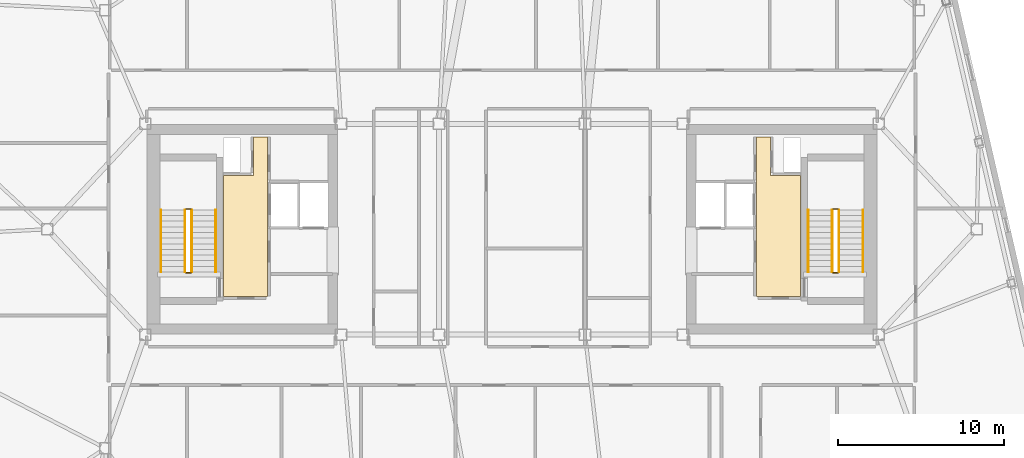
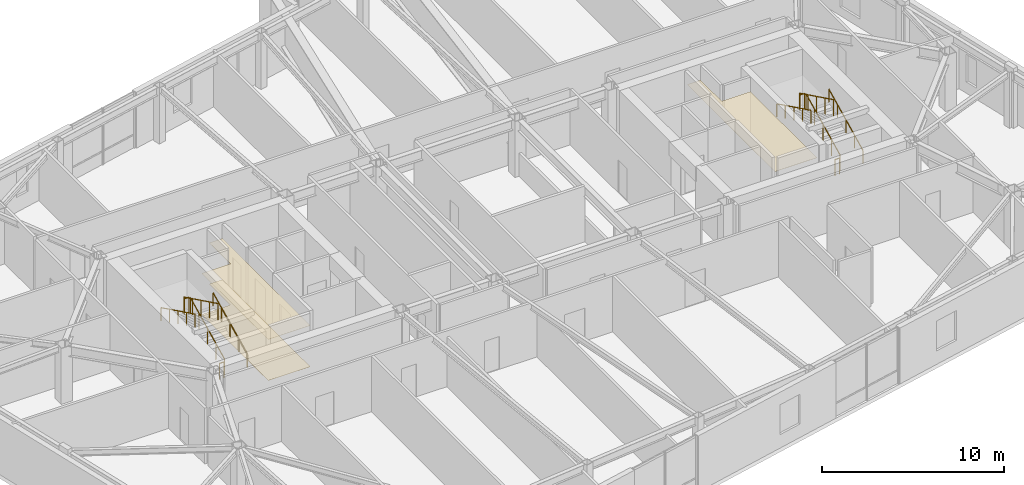
# One storey, part 24 of 24: 12 railings, 3 coverings.
"""IFC4 building model written with IfcOpenShell, lengths in metres."""

from ifc_helpers import new_model, si_unit, direction, frame, origin, origin_2d, place, context, subcontext, project, spatial, polyline, rectangle, outline, extrude, material, layer, layer_set, type_object, element, save


model = new_model("IFC4")

# Units and contexts
model_context = context("Model", 3, precision=1e-05, world=origin(), true_north=direction((0.0, 1.0)))
body_context = subcontext(model_context, "Body", "Model", "MODEL_VIEW")
ifc_project = project(units=[si_unit("LENGTHUNIT", "METRE"), si_unit("AREAUNIT", "SQUARE_METRE"), si_unit("VOLUMEUNIT", "CUBIC_METRE"), si_unit("PLANEANGLEUNIT", "RADIAN"), si_unit("MASSUNIT", "GRAM", prefix="KILO")], contexts=[model_context])

# Site, building, storey
site_placement = place(None, origin())
site = spatial("IfcSite", under=ifc_project, at=site_placement, CompositionType="ELEMENT")
building_placement = place(site_placement, origin())
building = spatial("IfcBuilding", under=site, at=building_placement, Name="Tavrogorsk Clinical Tower", CompositionType="ELEMENT")
storey_placement = place(building_placement, frame((0.0, 0.0, 309.0)))
storey = spatial("IfcBuildingStorey", under=building, at=storey_placement, Name="L72", CompositionType="ELEMENT", Elevation=309.0)

# Coverings
ifc_material_1 = material(Name="Antibacterial micro-perforated aluminium ceiling", Category="aluminium")
ifc_layer_1 = layer(ifc_material_1, 0.014892578125)
ifc_layer_set_1 = layer_set([ifc_layer_1], Name="Antibacterial micro-perforated aluminium ceiling")
covering_type_1 = type_object("IfcCoveringType", Name="ClinicalCeiling_15", PredefinedType="CEILING", material=ifc_layer_set_1)
covering_1_placement = place(storey_placement, frame((0.0, 0.0, 2.75)))
element("IfcCovering", 1, at=covering_1_placement, inside=storey, type_object=covering_type_1, Name="Core West Firefighting Lift Lobby Acoustic Ceiling", PredefinedType="CEILING", context=body_context, shape_type="SweptSolid", body=[
    extrude(outline(polyline([(-14.719970703125, 5.56005859375), (-14.719970703125, -4.06005859375), (-17.3798828125, -4.06005859375), (-17.3798828125, 3.239990234375), (-15.56005859375, 3.239990234375), (-15.56005859375, 5.56005859375), (-14.719970703125, 5.56005859375)])), origin(), (0.0, 0.0, 1.0), 0.014892578125),
])
covering_2_placement = place(storey_placement, frame((0.0, 0.0, 2.75)))
element("IfcCovering", 2, at=covering_2_placement, inside=storey, type_object=covering_type_1, Name="Core East Firefighting Lift Lobby Acoustic Ceiling", PredefinedType="CEILING", context=body_context, shape_type="SweptSolid", body=[
    extrude(outline(polyline([(17.3798828125, -4.06005859375), (14.719970703125, -4.06005859375), (14.719970703125, 5.56005859375), (15.56005859375, 5.56005859375), (15.56005859375, 3.239990234375), (17.3798828125, 3.239990234375), (17.3798828125, -4.06005859375)])), origin(), (0.0, 0.0, 1.0), 0.014892578125),
])
ifc_material_2 = material(Name="Homogeneous medical conductive PVC flooring")
ifc_layer_2 = layer(ifc_material_2, 0.008056640625)
ifc_layer_set_2 = layer_set([ifc_layer_2], Name="Homogeneous medical conductive PVC flooring")
covering_type_2 = type_object("IfcCoveringType", Name="ResilientVinylFloor_8", PredefinedType="FLOORING", material=ifc_layer_set_2)
covering_3_placement = place(storey_placement, origin())
element("IfcCovering", 3, at=covering_3_placement, inside=storey, type_object=covering_type_2, Name="Core West Firefighting Lift Lobby Conductive Vinyl Flooring", PredefinedType="FLOORING", context=body_context, shape_type="SweptSolid", body=[
    extrude(outline(polyline([(-14.719970703125, 5.56005859375), (-14.719970703125, -4.06005859375), (-17.3798828125, -4.06005859375), (-17.3798828125, 3.239990234375), (-15.56005859375, 3.239990234375), (-15.56005859375, 5.56005859375), (-14.719970703125, 5.56005859375)])), origin(), (0.0, 0.0, 1.0), 0.008056640625),
])

# Railings
ifc_material_3 = material(Name="Galvanised steel S355 safety stairwell guard", Category="steel")
ifc_layer_3 = layer(ifc_material_3, 0.06005859375)
ifc_layer_set_3 = layer_set([ifc_layer_3], Name="Galvanised steel S355 safety stairwell guard")
railing_type_1 = type_object("IfcRailingType", Name="StairGuard_1150", PredefinedType="GUARDRAIL", material=ifc_layer_set_3)
railing_1_placement = place(storey_placement, frame((-19.300048828125, -2.574951171875, 0.166748046875)))
element("IfcRailing", 4, at=railing_1_placement, inside=storey, type_object=railing_type_1, Name="L72 ST-W stair guard 1", PredefinedType="GUARDRAIL", context=body_context, shape_type="SweptSolid", body=[
    extrude(rectangle(XDim=0.048095703125, YDim=0.048095703125, at=origin_2d()), frame((0.0, 0.0, 1.076171875), z_axis=(0.0, 0.897927990467, 0.440142390523), x_axis=(-1.0, 0.0, 0.0)), (0.0, 0.0, 1.0), 4.1650390625),
    extrude(rectangle(XDim=0.0419921875, YDim=0.0419921875, at=origin_2d()), origin(), (0.0, 0.0, 1.0), 1.052001953125),
    extrude(rectangle(XDim=0.0419921875, YDim=0.0419921875, at=origin_2d()), frame((0.0, 0.93505859375, 0.458251953125)), (0.0, 0.0, 1.0), 1.052001953125),
    extrude(rectangle(XDim=0.0419921875, YDim=0.0419921875, at=origin_2d()), frame((0.0, 1.8701171875, 0.91650390625)), (0.0, 0.0, 1.0), 1.052001953125),
    extrude(rectangle(XDim=0.0419921875, YDim=0.0419921875, at=origin_2d()), frame((0.0, 2.804931640625, 1.375)), (0.0, 0.0, 1.0), 1.052001953125),
    extrude(rectangle(XDim=0.0419921875, YDim=0.0419921875, at=origin_2d()), frame((0.0, 3.739990234375, 1.833251953125)), (0.0, 0.0, 1.0), 1.052001953125),
])
railing_2_placement = place(storey_placement, frame((-19.35009765625, 1.215087890625, 2.0)))
element("IfcRailing", 5, at=railing_2_placement, inside=storey, type_object=railing_type_1, Name="L72 ST-W stair guard 2", PredefinedType="GUARDRAIL", context=body_context, shape_type="SweptSolid", body=[
    extrude(rectangle(XDim=0.048095703125, YDim=0.048095703125, at=origin_2d()), frame((0.0, 0.0, 1.076171875), z_axis=(-1.0, 0.0, 0.0), x_axis=(0.0, -1.0, 0.0)), (0.0, 0.0, 1.0), 0.2998046875),
    extrude(rectangle(XDim=0.0419921875, YDim=0.0419921875, at=origin_2d()), origin(), (0.0, 0.0, 1.0), 1.052001953125),
    extrude(rectangle(XDim=0.0419921875, YDim=0.0419921875, at=origin_2d()), frame((-0.2998046875, 0.0, 0.0)), (0.0, 0.0, 1.0), 1.052001953125),
])
railing_3_placement = place(storey_placement, frame((-19.699951171875, 1.1650390625, 2.166748046875)))
element("IfcRailing", 6, at=railing_3_placement, inside=storey, type_object=railing_type_1, Name="L72 ST-W stair guard 3", PredefinedType="GUARDRAIL", context=body_context, shape_type="SweptSolid", body=[
    extrude(rectangle(XDim=0.048095703125, YDim=0.048095703125, at=origin_2d()), frame((0.0, 0.0, 1.076171875), z_axis=(0.0, -0.897927990467, 0.440142390523), x_axis=(1.0, 0.0, 0.0)), (0.0, 0.0, 1.0), 4.1650390625),
    extrude(rectangle(XDim=0.0419921875, YDim=0.0419921875, at=origin_2d()), origin(), (0.0, 0.0, 1.0), 1.052001953125),
    extrude(rectangle(XDim=0.0419921875, YDim=0.0419921875, at=origin_2d()), frame((0.0, -0.93505859375, 0.458251953125)), (0.0, 0.0, 1.0), 1.052001953125),
    extrude(rectangle(XDim=0.0419921875, YDim=0.0419921875, at=origin_2d()), frame((0.0, -1.8701171875, 0.91650390625)), (0.0, 0.0, 1.0), 1.052001953125),
    extrude(rectangle(XDim=0.0419921875, YDim=0.0419921875, at=origin_2d()), frame((0.0, -2.804931640625, 1.375)), (0.0, 0.0, 1.0), 1.052001953125),
    extrude(rectangle(XDim=0.0419921875, YDim=0.0419921875, at=origin_2d()), frame((0.0, -3.739990234375, 1.833251953125)), (0.0, 0.0, 1.0), 1.052001953125),
])
railing_4_placement = place(storey_placement, frame((-19.35009765625, -2.625, 0.0)))
element("IfcRailing", 7, at=railing_4_placement, inside=storey, type_object=railing_type_1, Name="L72 ST-W stair guard 4", PredefinedType="GUARDRAIL", context=body_context, shape_type="SweptSolid", body=[
    extrude(rectangle(XDim=0.048095703125, YDim=0.048095703125, at=origin_2d()), frame((0.0, 0.0, 1.076171875), z_axis=(-1.0, 0.0, 0.0), x_axis=(0.0, -1.0, 0.0)), (0.0, 0.0, 1.0), 0.2998046875),
    extrude(rectangle(XDim=0.0419921875, YDim=0.0419921875, at=origin_2d()), origin(), (0.0, 0.0, 1.0), 1.052001953125),
    extrude(rectangle(XDim=0.0419921875, YDim=0.0419921875, at=origin_2d()), frame((-0.2998046875, 0.0, 0.0)), (0.0, 0.0, 1.0), 1.052001953125),
])
railing_5_placement = place(storey_placement, frame((19.699951171875, -2.574951171875, 0.166748046875)))
element("IfcRailing", 8, at=railing_5_placement, inside=storey, type_object=railing_type_1, Name="L72 ST-E stair guard 1", PredefinedType="GUARDRAIL", context=body_context, shape_type="SweptSolid", body=[
    extrude(rectangle(XDim=0.048095703125, YDim=0.048095703125, at=origin_2d()), frame((0.0, 0.0, 1.076171875), z_axis=(0.0, 0.897927990467, 0.440142390523), x_axis=(-1.0, 0.0, 0.0)), (0.0, 0.0, 1.0), 4.1650390625),
    extrude(rectangle(XDim=0.0419921875, YDim=0.0419921875, at=origin_2d()), origin(), (0.0, 0.0, 1.0), 1.052001953125),
    extrude(rectangle(XDim=0.0419921875, YDim=0.0419921875, at=origin_2d()), frame((0.0, 0.93505859375, 0.458251953125)), (0.0, 0.0, 1.0), 1.052001953125),
    extrude(rectangle(XDim=0.0419921875, YDim=0.0419921875, at=origin_2d()), frame((0.0, 1.8701171875, 0.91650390625)), (0.0, 0.0, 1.0), 1.052001953125),
    extrude(rectangle(XDim=0.0419921875, YDim=0.0419921875, at=origin_2d()), frame((0.0, 2.804931640625, 1.375)), (0.0, 0.0, 1.0), 1.052001953125),
    extrude(rectangle(XDim=0.0419921875, YDim=0.0419921875, at=origin_2d()), frame((0.0, 3.739990234375, 1.833251953125)), (0.0, 0.0, 1.0), 1.052001953125),
])
railing_6_placement = place(storey_placement, frame((19.64990234375, 1.215087890625, 2.0)))
element("IfcRailing", 9, at=railing_6_placement, inside=storey, type_object=railing_type_1, Name="L72 ST-E stair guard 2", PredefinedType="GUARDRAIL", context=body_context, shape_type="SweptSolid", body=[
    extrude(rectangle(XDim=0.048095703125, YDim=0.048095703125, at=origin_2d()), frame((0.0, 0.0, 1.076171875), z_axis=(-1.0, 0.0, 0.0), x_axis=(0.0, -1.0, 0.0)), (0.0, 0.0, 1.0), 0.2998046875),
    extrude(rectangle(XDim=0.0419921875, YDim=0.0419921875, at=origin_2d()), origin(), (0.0, 0.0, 1.0), 1.052001953125),
    extrude(rectangle(XDim=0.0419921875, YDim=0.0419921875, at=origin_2d()), frame((-0.2998046875, 0.0, 0.0)), (0.0, 0.0, 1.0), 1.052001953125),
])
railing_7_placement = place(storey_placement, frame((19.300048828125, 1.1650390625, 2.166748046875)))
element("IfcRailing", 10, at=railing_7_placement, inside=storey, type_object=railing_type_1, Name="L72 ST-E stair guard 3", PredefinedType="GUARDRAIL", context=body_context, shape_type="SweptSolid", body=[
    extrude(rectangle(XDim=0.048095703125, YDim=0.048095703125, at=origin_2d()), frame((0.0, 0.0, 1.076171875), z_axis=(0.0, -0.897927990467, 0.440142390523), x_axis=(1.0, 0.0, 0.0)), (0.0, 0.0, 1.0), 4.1650390625),
    extrude(rectangle(XDim=0.0419921875, YDim=0.0419921875, at=origin_2d()), origin(), (0.0, 0.0, 1.0), 1.052001953125),
    extrude(rectangle(XDim=0.0419921875, YDim=0.0419921875, at=origin_2d()), frame((0.0, -0.93505859375, 0.458251953125)), (0.0, 0.0, 1.0), 1.052001953125),
    extrude(rectangle(XDim=0.0419921875, YDim=0.0419921875, at=origin_2d()), frame((0.0, -1.8701171875, 0.91650390625)), (0.0, 0.0, 1.0), 1.052001953125),
    extrude(rectangle(XDim=0.0419921875, YDim=0.0419921875, at=origin_2d()), frame((0.0, -2.804931640625, 1.375)), (0.0, 0.0, 1.0), 1.052001953125),
    extrude(rectangle(XDim=0.0419921875, YDim=0.0419921875, at=origin_2d()), frame((0.0, -3.739990234375, 1.833251953125)), (0.0, 0.0, 1.0), 1.052001953125),
])
railing_8_placement = place(storey_placement, frame((19.64990234375, -2.625, 0.0)))
element("IfcRailing", 11, at=railing_8_placement, inside=storey, type_object=railing_type_1, Name="L72 ST-E stair guard 4", PredefinedType="GUARDRAIL", context=body_context, shape_type="SweptSolid", body=[
    extrude(rectangle(XDim=0.048095703125, YDim=0.048095703125, at=origin_2d()), frame((0.0, 0.0, 1.076171875), z_axis=(-1.0, 0.0, 0.0), x_axis=(0.0, -1.0, 0.0)), (0.0, 0.0, 1.0), 0.2998046875),
    extrude(rectangle(XDim=0.0419921875, YDim=0.0419921875, at=origin_2d()), origin(), (0.0, 0.0, 1.0), 1.052001953125),
    extrude(rectangle(XDim=0.0419921875, YDim=0.0419921875, at=origin_2d()), frame((-0.2998046875, 0.0, 0.0)), (0.0, 0.0, 1.0), 1.052001953125),
])
ifc_material_4 = material(Name="Stainless steel AISI 304 tubular handrail", Category="steel")
ifc_layer_4 = layer(ifc_material_4, 0.050048828125)
ifc_layer_set_4 = layer_set([ifc_layer_4], Name="Stainless steel AISI 304 tubular handrail")
railing_type_2 = type_object("IfcRailingType", Name="StairHandrail_920", PredefinedType="HANDRAIL", material=ifc_layer_set_4)
railing_9_placement = place(storey_placement, frame((-17.85009765625, -2.574951171875, 0.166748046875)))
element("IfcRailing", 12, at=railing_9_placement, inside=storey, type_object=railing_type_2, Name="L72 ST-W stair handrail 1", PredefinedType="HANDRAIL", context=body_context, shape_type="SweptSolid", body=[
    extrude(rectangle(XDim=0.048095703125, YDim=0.048095703125, at=origin_2d()), frame((0.0, 0.0, 0.8759765625), z_axis=(0.0, 0.897927990467, 0.440142390523), x_axis=(-1.0, 0.0, 0.0)), (0.0, 0.0, 1.0), 4.1650390625),
    extrude(rectangle(XDim=0.0419921875, YDim=0.0419921875, at=origin_2d()), origin(), (0.0, 0.0, 1.0), 0.851806640625),
    extrude(rectangle(XDim=0.0419921875, YDim=0.0419921875, at=origin_2d()), frame((0.0, 0.93505859375, 0.458251953125)), (0.0, 0.0, 1.0), 0.851806640625),
    extrude(rectangle(XDim=0.0419921875, YDim=0.0419921875, at=origin_2d()), frame((0.0, 1.8701171875, 0.91650390625)), (0.0, 0.0, 1.0), 0.851806640625),
    extrude(rectangle(XDim=0.0419921875, YDim=0.0419921875, at=origin_2d()), frame((0.0, 2.804931640625, 1.375)), (0.0, 0.0, 1.0), 0.851806640625),
    extrude(rectangle(XDim=0.0419921875, YDim=0.0419921875, at=origin_2d()), frame((0.0, 3.739990234375, 1.833251953125)), (0.0, 0.0, 1.0), 0.851806640625),
])
railing_10_placement = place(storey_placement, frame((-21.14990234375, 1.1650390625, 2.166748046875)))
element("IfcRailing", 13, at=railing_10_placement, inside=storey, type_object=railing_type_2, Name="L72 ST-W stair handrail 2", PredefinedType="HANDRAIL", context=body_context, shape_type="SweptSolid", body=[
    extrude(rectangle(XDim=0.048095703125, YDim=0.048095703125, at=origin_2d()), frame((0.0, 0.0, 0.8759765625), z_axis=(0.0, -0.897927990467, 0.440142390523), x_axis=(1.0, 0.0, 0.0)), (0.0, 0.0, 1.0), 4.1650390625),
    extrude(rectangle(XDim=0.0419921875, YDim=0.0419921875, at=origin_2d()), origin(), (0.0, 0.0, 1.0), 0.851806640625),
    extrude(rectangle(XDim=0.0419921875, YDim=0.0419921875, at=origin_2d()), frame((0.0, -0.93505859375, 0.458251953125)), (0.0, 0.0, 1.0), 0.851806640625),
    extrude(rectangle(XDim=0.0419921875, YDim=0.0419921875, at=origin_2d()), frame((0.0, -1.8701171875, 0.91650390625)), (0.0, 0.0, 1.0), 0.851806640625),
    extrude(rectangle(XDim=0.0419921875, YDim=0.0419921875, at=origin_2d()), frame((0.0, -2.804931640625, 1.375)), (0.0, 0.0, 1.0), 0.851806640625),
    extrude(rectangle(XDim=0.0419921875, YDim=0.0419921875, at=origin_2d()), frame((0.0, -3.739990234375, 1.833251953125)), (0.0, 0.0, 1.0), 0.851806640625),
])
railing_11_placement = place(storey_placement, frame((21.14990234375, -2.574951171875, 0.166748046875)))
element("IfcRailing", 14, at=railing_11_placement, inside=storey, type_object=railing_type_2, Name="L72 ST-E stair handrail 1", PredefinedType="HANDRAIL", context=body_context, shape_type="SweptSolid", body=[
    extrude(rectangle(XDim=0.048095703125, YDim=0.048095703125, at=origin_2d()), frame((0.0, 0.0, 0.8759765625), z_axis=(0.0, 0.897927990467, 0.440142390523), x_axis=(-1.0, 0.0, 0.0)), (0.0, 0.0, 1.0), 4.1650390625),
    extrude(rectangle(XDim=0.0419921875, YDim=0.0419921875, at=origin_2d()), origin(), (0.0, 0.0, 1.0), 0.851806640625),
    extrude(rectangle(XDim=0.0419921875, YDim=0.0419921875, at=origin_2d()), frame((0.0, 0.93505859375, 0.458251953125)), (0.0, 0.0, 1.0), 0.851806640625),
    extrude(rectangle(XDim=0.0419921875, YDim=0.0419921875, at=origin_2d()), frame((0.0, 1.8701171875, 0.91650390625)), (0.0, 0.0, 1.0), 0.851806640625),
    extrude(rectangle(XDim=0.0419921875, YDim=0.0419921875, at=origin_2d()), frame((0.0, 2.804931640625, 1.375)), (0.0, 0.0, 1.0), 0.851806640625),
    extrude(rectangle(XDim=0.0419921875, YDim=0.0419921875, at=origin_2d()), frame((0.0, 3.739990234375, 1.833251953125)), (0.0, 0.0, 1.0), 0.851806640625),
])
railing_12_placement = place(storey_placement, frame((17.85009765625, 1.1650390625, 2.166748046875)))
element("IfcRailing", 15, at=railing_12_placement, inside=storey, type_object=railing_type_2, Name="L72 ST-E stair handrail 2", PredefinedType="HANDRAIL", context=body_context, shape_type="SweptSolid", body=[
    extrude(rectangle(XDim=0.048095703125, YDim=0.048095703125, at=origin_2d()), frame((0.0, 0.0, 0.8759765625), z_axis=(0.0, -0.897927990467, 0.440142390523), x_axis=(1.0, 0.0, 0.0)), (0.0, 0.0, 1.0), 4.1650390625),
    extrude(rectangle(XDim=0.0419921875, YDim=0.0419921875, at=origin_2d()), origin(), (0.0, 0.0, 1.0), 0.851806640625),
    extrude(rectangle(XDim=0.0419921875, YDim=0.0419921875, at=origin_2d()), frame((0.0, -0.93505859375, 0.458251953125)), (0.0, 0.0, 1.0), 0.851806640625),
    extrude(rectangle(XDim=0.0419921875, YDim=0.0419921875, at=origin_2d()), frame((0.0, -1.8701171875, 0.91650390625)), (0.0, 0.0, 1.0), 0.851806640625),
    extrude(rectangle(XDim=0.0419921875, YDim=0.0419921875, at=origin_2d()), frame((0.0, -2.804931640625, 1.375)), (0.0, 0.0, 1.0), 0.851806640625),
    extrude(rectangle(XDim=0.0419921875, YDim=0.0419921875, at=origin_2d()), frame((0.0, -3.739990234375, 1.833251953125)), (0.0, 0.0, 1.0), 0.851806640625),
])

save(model, "model.ifc")
